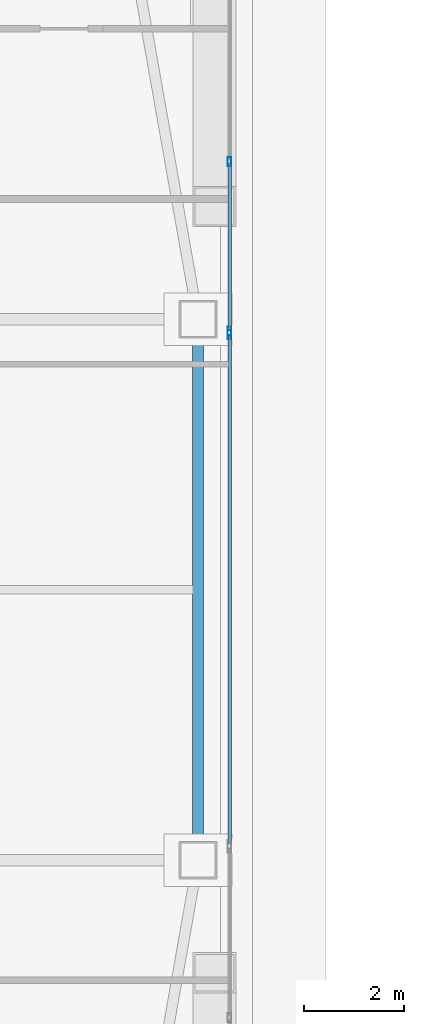
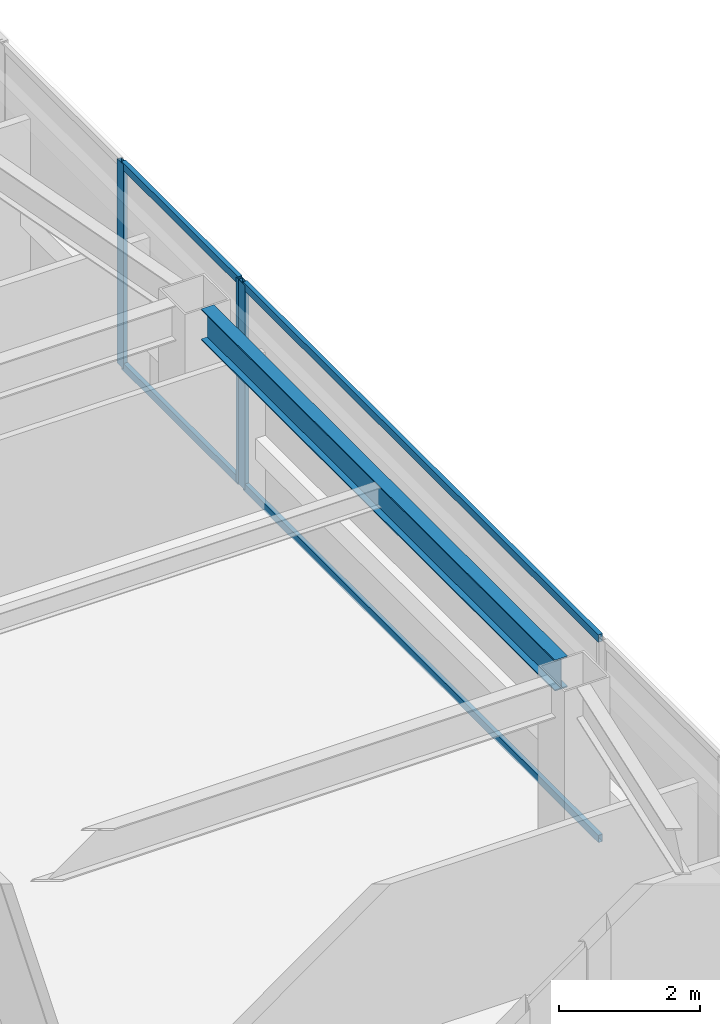
# One storey, part 16 of 65: 7 members, 1 beam, 2 elements without a shape of their own.
"""IFC4 building model written with IfcOpenShell, lengths in metres."""

from ifc_helpers import new_model, si_unit, direction, frame, origin, origin_2d, place, context, subcontext, project, spatial, hollow_rectangle, i_section, extrude, material, material_profile, profile_set, type_object, element, aggregate, save


model = new_model("IFC4")

# Units and contexts
model_context = context("Model", 3, precision=1e-05, world=origin(), true_north=direction((0.0, 1.0)))
body_context = subcontext(model_context, "Body", "Model", "MODEL_VIEW")
ifc_project = project(units=[si_unit("LENGTHUNIT", "METRE"), si_unit("AREAUNIT", "SQUARE_METRE"), si_unit("VOLUMEUNIT", "CUBIC_METRE"), si_unit("PLANEANGLEUNIT", "RADIAN"), si_unit("MASSUNIT", "GRAM", prefix="KILO")], contexts=[model_context])

# Site, building, storey
site_placement = place(None, origin())
site = spatial("IfcSite", under=ifc_project, at=site_placement, CompositionType="ELEMENT")
building_placement = place(site_placement, origin())
building = spatial("IfcBuilding", under=site, at=building_placement, Name="Tashvorn Skyway Center", CompositionType="ELEMENT")
storey_placement = place(building_placement, frame((0.0, 0.0, 157.0)))
storey = spatial("IfcBuildingStorey", under=building, at=storey_placement, Name="L42", CompositionType="ELEMENT", Elevation=157.0)

# Beam
ifc_material_1 = material(Name="Steel ASTM A992 Grade 50", Category="steel")
ifc_material_profile_1 = material_profile(ifc_material_1, i_section(OverallWidth=0.2109375, OverallDepth=0.5390625, WebThickness=0.01171875, FlangeThickness=0.018798828125, at=origin_2d()), Name="W21X73")
ifc_profile_set_1 = profile_set([ifc_material_profile_1], Name="Steel ASTM A992 Grade 50")
beam_type = type_object("IfcBeamType", Name="BM-SPANDREL-W21X73", PredefinedType="SPANDREL", material=ifc_profile_set_1)
beam_placement = place(storey_placement, frame((59.050048828125, 26.969970703125, 3.1005859375), z_axis=(0.0, 1.0, 0.0), x_axis=(-1.0, 0.0, 0.0)))
element("IfcBeam", 1, at=beam_placement, inside=storey, type_object=beam_type, Name="Tower 1 L42 Spandrel Beam 05", PredefinedType="SPANDREL", context=body_context, shape_type="SweptSolid", body=[
    extrude(i_section(OverallWidth=0.2109375, OverallDepth=0.5390625, WebThickness=0.01171875, FlangeThickness=0.018798828125, at=origin_2d()), origin(), (0.0, 0.0, 1.0), 10.06005859375),
])

# Curtain wall, members
ifc_material_2 = material(Name="Thermally broken bronze-anodized aluminium 6063-T6", Category="aluminium")
curtain_wall_type = type_object("IfcCurtainWallType", Name="CW-CW-Z4", PredefinedType="NOTDEFINED", material=ifc_material_2)
curtain_wall_1_placement = place(storey_placement, origin())
curtain_wall_1 = element("IfcCurtainWall", 2, at=curtain_wall_1_placement, inside=storey, type_object=curtain_wall_type, Name="Tower 1 L42 East Unitised Curtain Wall Glazing Group 1", PredefinedType="NOTDEFINED")
ifc_material_profile_2 = material_profile(ifc_material_2, hollow_rectangle(XDim=0.070068359375, YDim=0.179931640625, WallThickness=0.00390625, at=origin_2d()), Name="ALU-MULL-70x180")
ifc_profile_set_2 = profile_set([ifc_material_profile_2], Name="Thermally broken bronze-anodized aluminium 6063-T6")
member_type_1 = type_object("IfcMemberType", Name="CWM-CW-Z4", PredefinedType="MULLION", material=ifc_profile_set_2)
member_1_placement = place(storey_placement, frame((59.679931640625, 40.54443359375, 0.0), z_axis=(0.0, 0.0, 1.0), x_axis=(1.0, 0.0, 0.0)))
member_1 = element("IfcMember", 3, at=member_1_placement, type_object=member_type_1, Name="CW-Z4 mullion 2", PredefinedType="MULLION", context=body_context, shape_type="SweptSolid", body=[
    extrude(hollow_rectangle(XDim=0.070068359375, YDim=0.179931640625, WallThickness=0.00390625, at=origin_2d()), origin(), (0.0, 0.0, 1.0), 3.550048828125),
])
member_2_placement = place(storey_placement, frame((59.679931640625, 37.16162109375, 0.0), z_axis=(0.0, 0.0, 1.0), x_axis=(1.0, 0.0, 0.0)))
member_2 = element("IfcMember", 4, at=member_2_placement, type_object=member_type_1, Name="CW-Z4 mullion 3", PredefinedType="MULLION", context=body_context, shape_type="SweptSolid", body=[
    extrude(hollow_rectangle(XDim=0.070068359375, YDim=0.179931640625, WallThickness=0.00390625, at=origin_2d()), origin(), (0.0, 0.0, 1.0), 3.550048828125),
])

# Curtain wall, member
curtain_wall_2_placement = place(storey_placement, origin())
curtain_wall_2 = element("IfcCurtainWall", 5, at=curtain_wall_2_placement, inside=storey, type_object=curtain_wall_type, Name="Tower 1 L42 East Unitised Curtain Wall Glazing Group 2", PredefinedType="NOTDEFINED")
member_3_placement = place(storey_placement, frame((59.679931640625, 37.091796875, 0.0), z_axis=(0.0, 0.0, 1.0), x_axis=(1.0, 0.0, 0.0)))
member_3 = element("IfcMember", 6, at=member_3_placement, type_object=member_type_1, Name="CW-Z4 mullion 1", PredefinedType="MULLION", context=body_context, shape_type="SweptSolid", body=[
    extrude(hollow_rectangle(XDim=0.070068359375, YDim=0.179931640625, WallThickness=0.00390625, at=origin_2d()), origin(), (0.0, 0.0, 1.0), 3.550048828125),
])

# Member
ifc_material_profile_3 = material_profile(ifc_material_2, hollow_rectangle(XDim=0.070068359375, YDim=0.1298828125, WallThickness=0.00390625, at=origin_2d()), Name="ALU-TRAN-70x130")
ifc_profile_set_3 = profile_set([ifc_material_profile_3], Name="Thermally broken bronze-anodized aluminium 6063-T6")
member_type_2 = type_object("IfcMemberType", Name="CWT-CW-Z4", PredefinedType="USERDEFINED", material=ifc_profile_set_3)
member_4_placement = place(storey_placement, frame((59.679931640625, 40.509521484375, 0.034912109375), z_axis=(0.0, -1.0, 0.0), x_axis=(1.0, 0.0, 0.0)))
member_4 = element("IfcMember", 7, at=member_4_placement, type_object=member_type_2, Name="CW-Z4 transom 2.1", ObjectType="TRANSOM", PredefinedType="USERDEFINED", context=body_context, shape_type="SweptSolid", body=[
    extrude(hollow_rectangle(XDim=0.070068359375, YDim=0.1298828125, WallThickness=0.00390625, at=origin_2d()), origin(), (0.0, 0.0, 1.0), 3.312744140625),
])

member_5_placement = place(storey_placement, frame((59.679931640625, 40.509521484375, 3.514892578125), z_axis=(0.0, -1.0, 0.0), x_axis=(1.0, 0.0, 0.0)))
member_5 = element("IfcMember", 8, at=member_5_placement, type_object=member_type_2, Name="CW-Z4 transom 2.2", ObjectType="TRANSOM", PredefinedType="USERDEFINED", context=body_context, shape_type="SweptSolid", body=[
    extrude(hollow_rectangle(XDim=0.070068359375, YDim=0.1298828125, WallThickness=0.00390625, at=origin_2d()), origin(), (0.0, 0.0, 1.0), 3.312744140625),
])

aggregate(curtain_wall_1, [member_1, member_2, member_4, member_5])

member_6_placement = place(storey_placement, frame((59.679931640625, 37.056640625, 0.034912109375), z_axis=(0.0, -1.0, 0.0), x_axis=(1.0, 0.0, 0.0)))
member_6 = element("IfcMember", 9, at=member_6_placement, type_object=member_type_2, Name="CW-Z4 transom 1.1", ObjectType="TRANSOM", PredefinedType="USERDEFINED", context=body_context, shape_type="SweptSolid", body=[
    extrude(hollow_rectangle(XDim=0.070068359375, YDim=0.1298828125, WallThickness=0.00390625, at=origin_2d()), origin(), (0.0, 0.0, 1.0), 10.11328125),
])

member_7_placement = place(storey_placement, frame((59.679931640625, 37.056640625, 3.514892578125), z_axis=(0.0, -1.0, 0.0), x_axis=(1.0, 0.0, 0.0)))
member_7 = element("IfcMember", 10, at=member_7_placement, type_object=member_type_2, Name="CW-Z4 transom 1.2", ObjectType="TRANSOM", PredefinedType="USERDEFINED", context=body_context, shape_type="SweptSolid", body=[
    extrude(hollow_rectangle(XDim=0.070068359375, YDim=0.1298828125, WallThickness=0.00390625, at=origin_2d()), origin(), (0.0, 0.0, 1.0), 10.11328125),
])

aggregate(curtain_wall_2, [member_3, member_6, member_7])

save(model, "model.ifc")
